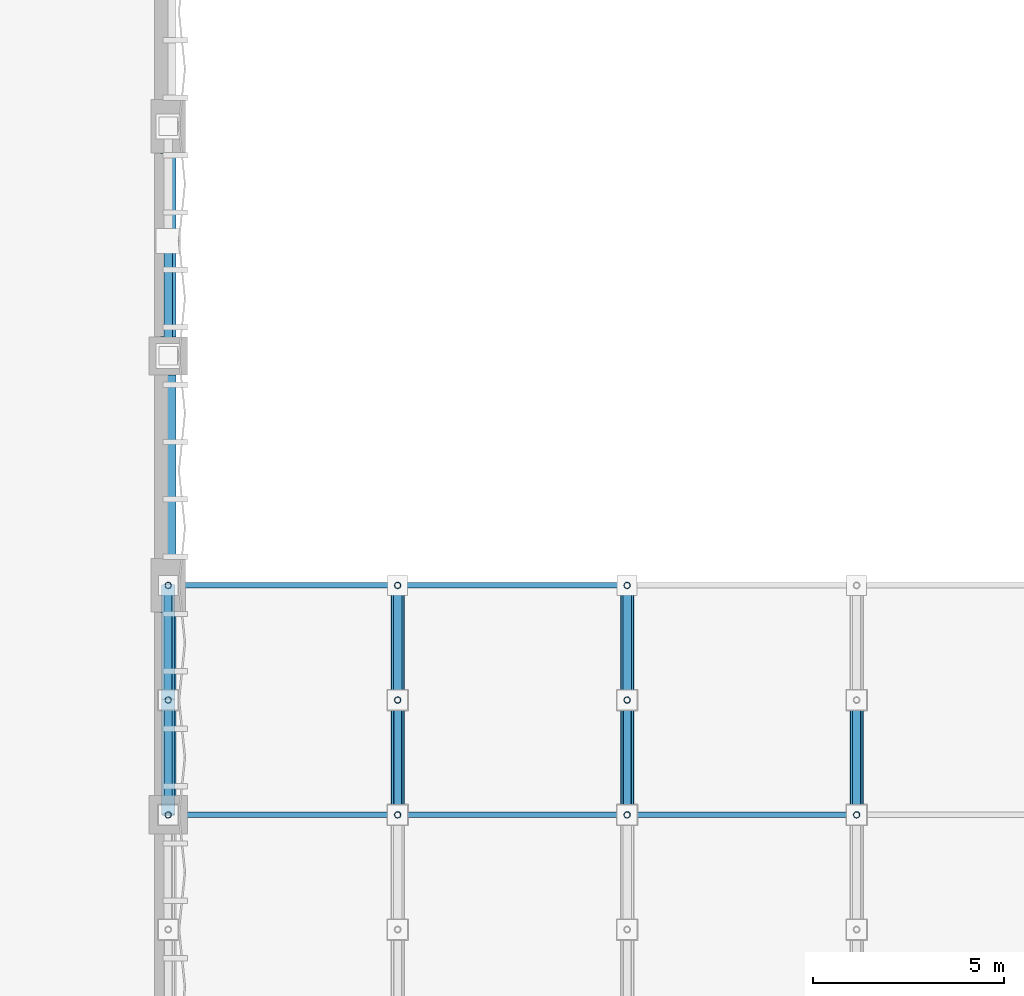
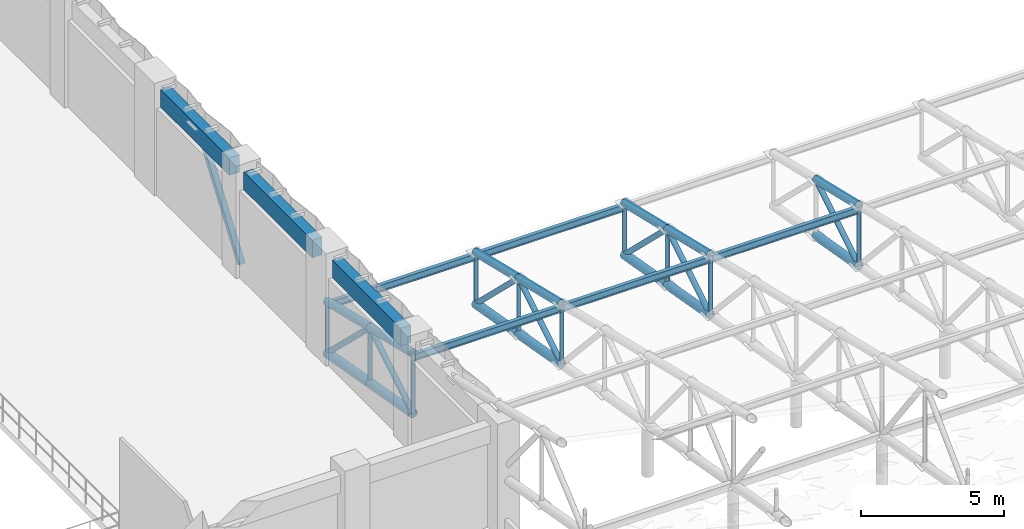
# One storey, part 29 of 123: 32 members, 8 beams.
"""IFC4 building model written with IfcOpenShell, lengths in metres."""

from ifc_helpers import new_model, si_unit, direction, frame, origin, origin_2d, place, context, subcontext, project, spatial, rectangle, hollow_rectangle, hollow_circle, i_section, extrude, material, material_profile, profile_set, type_object, element, save


model = new_model("IFC4")

# Units and contexts
model_context = context("Model", 3, precision=1e-05, world=origin(), true_north=direction((0.0, 1.0)))
body_context = subcontext(model_context, "Body", "Model", "MODEL_VIEW")
ifc_project = project(units=[si_unit("LENGTHUNIT", "METRE"), si_unit("AREAUNIT", "SQUARE_METRE"), si_unit("VOLUMEUNIT", "CUBIC_METRE"), si_unit("PLANEANGLEUNIT", "RADIAN"), si_unit("MASSUNIT", "GRAM", prefix="KILO"), si_unit("THERMODYNAMICTEMPERATUREUNIT", "KELVIN"), si_unit("POWERUNIT", "WATT")], contexts=[model_context])

# Site, building, storey
site_placement = place(None, origin())
site = spatial("IfcSite", under=ifc_project, at=site_placement, CompositionType="ELEMENT")
building_placement = place(site_placement, origin())
building = spatial("IfcBuilding", under=site, at=building_placement, Name="Phaisarnlok Congress Hotel", CompositionType="ELEMENT")
storey_placement = place(building_placement, frame((0.0, 0.0, 15.0)))
storey = spatial("IfcBuildingStorey", under=building, at=storey_placement, Name="L03", CompositionType="ELEMENT", Elevation=15.0)

# Beams
ifc_material_1 = material(Name="Steel S355", Category="steel")
ifc_material_profile_1 = material_profile(ifc_material_1, i_section(OverallWidth=0.14990234375, OverallDepth=0.300048828125, WebThickness=0.007080078125, FlangeThickness=0.0107421875, FilletRadius=0.014892578125, at=origin_2d()), Name="IPE 300")
ifc_profile_set_1 = profile_set([ifc_material_profile_1], Name="Steel S355")
beam_type_1 = type_object("IfcBeamType", Name="JS-STL-IPE300", PredefinedType="JOIST", material=ifc_profile_set_1)
for number, where, z_axis, x_axis, name in (
    (1, (66.0, 54.0, 2.0380859375), (1.0, 0.0, 0.0), (0.0, 1.0, 0.0), "South wing roof purlin"),
    (2, (66.0, 48.0, 3.47021484375), (1.0, 0.0, 0.0), (0.0, 1.0, 0.0), "South wing roof purlin"),
    (3, (72.0, 54.0, 2.0380859375), (1.0, 0.0, 0.0), (0.0, 1.0, 0.0), "South wing roof purlin"),
    (4, (72.0, 48.0, 3.47021484375), (1.0, 0.0, 0.0), (0.0, 1.0, 0.0), "South wing roof purlin"),
    (5, (78.0, 48.0, 3.47021484375), (1.0, 0.0, 0.0), (0.0, 1.0, 0.0), "South wing roof purlin"),
):
    element("IfcBeam", number, at=place(storey_placement, frame(where, z_axis=z_axis, x_axis=x_axis)), inside=storey, type_object=beam_type_1, Name=name, PredefinedType="JOIST", context=body_context, shape_type="SweptSolid", body=[
        extrude(i_section(OverallWidth=0.14990234375, OverallDepth=0.300048828125, WebThickness=0.007080078125, FlangeThickness=0.0107421875, FilletRadius=0.014892578125, at=origin_2d()), origin(), (0.0, 0.0, 1.0), 6.0),
    ])

# Members
ifc_material_profile_2 = material_profile(ifc_material_1, hollow_circle(Radius=0.084228515625, WallThickness=0.010009765625, at=origin_2d()), Name="CHS 168.3x10")
ifc_profile_set_2 = profile_set([ifc_material_profile_2], Name="Steel S355")
member_type_1 = type_object("IfcMemberType", Name="MEM-BRC-CHS168", PredefinedType="BRACE", material=ifc_profile_set_2)
member_1_placement = place(storey_placement, frame((66.0, 54.0, 0.0), z_axis=(0.0, 0.0, 1.0), x_axis=(1.0, 0.0, 0.0)))
element("IfcMember", 6, at=member_1_placement, inside=storey, type_object=member_type_1, Name="South wing roof truss vertical web", PredefinedType="BRACE", context=body_context, shape_type="SweptSolid", body=[
    extrude(hollow_circle(Radius=0.084228515625, WallThickness=0.010009765625, at=origin_2d()), origin(), (0.0, 0.0, 1.0), 2.199951171875),
])
member_2_placement = place(storey_placement, frame((66.0, 51.0, 0.533447265625), z_axis=(0.0, 0.0, 1.0), x_axis=(1.0, 0.0, 0.0)))
element("IfcMember", 7, at=member_2_placement, inside=storey, type_object=member_type_1, Name="South wing roof truss vertical web", PredefinedType="BRACE", context=body_context, shape_type="SweptSolid", body=[
    extrude(hollow_circle(Radius=0.084228515625, WallThickness=0.010009765625, at=origin_2d()), origin(), (0.0, 0.0, 1.0), 2.382568359375),
])
member_3_placement = place(storey_placement, frame((66.0, 48.0, 1.066650390625), z_axis=(0.0, 0.0, 1.0), x_axis=(1.0, 0.0, 0.0)))
element("IfcMember", 8, at=member_3_placement, inside=storey, type_object=member_type_1, Name="South wing roof truss vertical web", PredefinedType="BRACE", context=body_context, shape_type="SweptSolid", body=[
    extrude(hollow_circle(Radius=0.084228515625, WallThickness=0.010009765625, at=origin_2d()), origin(), (0.0, 0.0, 1.0), 2.5654296875),
])
member_4_placement = place(storey_placement, frame((72.0, 54.0, 0.0), z_axis=(0.0, 0.0, 1.0), x_axis=(1.0, 0.0, 0.0)))
element("IfcMember", 9, at=member_4_placement, inside=storey, type_object=member_type_1, Name="South wing roof truss vertical web", PredefinedType="BRACE", context=body_context, shape_type="SweptSolid", body=[
    extrude(hollow_circle(Radius=0.084228515625, WallThickness=0.010009765625, at=origin_2d()), origin(), (0.0, 0.0, 1.0), 2.199951171875),
])
member_5_placement = place(storey_placement, frame((72.0, 51.0, 0.533447265625), z_axis=(0.0, 0.0, 1.0), x_axis=(1.0, 0.0, 0.0)))
element("IfcMember", 10, at=member_5_placement, inside=storey, type_object=member_type_1, Name="South wing roof truss vertical web", PredefinedType="BRACE", context=body_context, shape_type="SweptSolid", body=[
    extrude(hollow_circle(Radius=0.084228515625, WallThickness=0.010009765625, at=origin_2d()), origin(), (0.0, 0.0, 1.0), 2.382568359375),
])
member_6_placement = place(storey_placement, frame((72.0, 48.0, 1.066650390625), z_axis=(0.0, 0.0, 1.0), x_axis=(1.0, 0.0, 0.0)))
element("IfcMember", 11, at=member_6_placement, inside=storey, type_object=member_type_1, Name="South wing roof truss vertical web", PredefinedType="BRACE", context=body_context, shape_type="SweptSolid", body=[
    extrude(hollow_circle(Radius=0.084228515625, WallThickness=0.010009765625, at=origin_2d()), origin(), (0.0, 0.0, 1.0), 2.5654296875),
])
member_7_placement = place(storey_placement, frame((78.0, 54.0, 0.0), z_axis=(0.0, 0.0, 1.0), x_axis=(1.0, 0.0, 0.0)))
element("IfcMember", 12, at=member_7_placement, inside=storey, type_object=member_type_1, Name="South wing roof truss vertical web", PredefinedType="BRACE", context=body_context, shape_type="SweptSolid", body=[
    extrude(hollow_circle(Radius=0.084228515625, WallThickness=0.010009765625, at=origin_2d()), origin(), (0.0, 0.0, 1.0), 2.199951171875),
])
member_8_placement = place(storey_placement, frame((78.0, 51.0, 0.533447265625), z_axis=(0.0, 0.0, 1.0), x_axis=(1.0, 0.0, 0.0)))
element("IfcMember", 13, at=member_8_placement, inside=storey, type_object=member_type_1, Name="South wing roof truss vertical web", PredefinedType="BRACE", context=body_context, shape_type="SweptSolid", body=[
    extrude(hollow_circle(Radius=0.084228515625, WallThickness=0.010009765625, at=origin_2d()), origin(), (0.0, 0.0, 1.0), 2.382568359375),
])
for number, where, z_axis, x_axis, name in (
    (14, (78.0, 48.0, 1.066650390625), (0.0, 0.0, 1.0), (1.0, 0.0, 0.0), "South wing roof truss vertical web"),
    (15, (84.0, 48.0, 1.066650390625), (0.0, 0.0, 1.0), (1.0, 0.0, 0.0), "South wing roof truss vertical web"),
):
    element("IfcMember", number, at=place(storey_placement, frame(where, z_axis=z_axis, x_axis=x_axis)), inside=storey, type_object=member_type_1, Name=name, PredefinedType="BRACE", context=body_context, shape_type="SweptSolid", body=[
        extrude(hollow_circle(Radius=0.084228515625, WallThickness=0.010009765625, at=origin_2d()), origin(), (0.0, 0.0, 1.0), 2.5654296875),
    ])
ifc_material_profile_3 = material_profile(ifc_material_1, hollow_circle(Radius=0.109619140625, WallThickness=0.012451171875, at=origin_2d()), Name="CHS 219.1x12.5")
ifc_profile_set_3 = profile_set([ifc_material_profile_3], Name="Steel S355")
member_type_2 = type_object("IfcMemberType", Name="MEM-BRC-CHS219", PredefinedType="BRACE", material=ifc_profile_set_3)
member_9_placement = place(storey_placement, frame((66.0, 54.0, 0.0), z_axis=(0.0, -0.717072690854, 0.696998390264), x_axis=(1.0, 0.0, 0.0)))
element("IfcMember", 16, at=member_9_placement, inside=storey, type_object=member_type_2, Name="South wing roof truss diagonal brace", PredefinedType="BRACE", context=body_context, shape_type="SweptSolid", body=[
    extrude(hollow_circle(Radius=0.109619140625, WallThickness=0.012451171875, at=origin_2d()), origin(), (0.0, 0.0, 1.0), 4.18359375),
])
member_10_placement = place(storey_placement, frame((66.0, 48.0, 1.066650390625), z_axis=(0.0, 0.851251329707, 0.524758204959), x_axis=(-1.0, 0.0, 0.0)))
element("IfcMember", 17, at=member_10_placement, inside=storey, type_object=member_type_2, Name="South wing roof truss diagonal brace", PredefinedType="BRACE", context=body_context, shape_type="SweptSolid", body=[
    extrude(hollow_circle(Radius=0.109619140625, WallThickness=0.012451171875, at=origin_2d()), origin(), (0.0, 0.0, 1.0), 3.524169921875),
])
member_11_placement = place(storey_placement, frame((72.0, 54.0, 0.0), z_axis=(0.0, -0.717072690854, 0.696998390264), x_axis=(1.0, 0.0, 0.0)))
element("IfcMember", 18, at=member_11_placement, inside=storey, type_object=member_type_2, Name="South wing roof truss diagonal brace", PredefinedType="BRACE", context=body_context, shape_type="SweptSolid", body=[
    extrude(hollow_circle(Radius=0.109619140625, WallThickness=0.012451171875, at=origin_2d()), origin(), (0.0, 0.0, 1.0), 4.18359375),
])
member_12_placement = place(storey_placement, frame((72.0, 48.0, 1.066650390625), z_axis=(0.0, 0.851251329707, 0.524758204959), x_axis=(-1.0, 0.0, 0.0)))
element("IfcMember", 19, at=member_12_placement, inside=storey, type_object=member_type_2, Name="South wing roof truss diagonal brace", PredefinedType="BRACE", context=body_context, shape_type="SweptSolid", body=[
    extrude(hollow_circle(Radius=0.109619140625, WallThickness=0.012451171875, at=origin_2d()), origin(), (0.0, 0.0, 1.0), 3.524169921875),
])
member_13_placement = place(storey_placement, frame((78.0, 54.0, 0.0), z_axis=(0.0, -0.717072690854, 0.696998390264), x_axis=(1.0, 0.0, 0.0)))
element("IfcMember", 20, at=member_13_placement, inside=storey, type_object=member_type_2, Name="South wing roof truss diagonal brace", PredefinedType="BRACE", context=body_context, shape_type="SweptSolid", body=[
    extrude(hollow_circle(Radius=0.109619140625, WallThickness=0.012451171875, at=origin_2d()), origin(), (0.0, 0.0, 1.0), 4.18359375),
])
for number, where, z_axis, x_axis, name in (
    (21, (78.0, 48.0, 1.066650390625), (0.0, 0.851251329707, 0.524758204959), (-1.0, 0.0, 0.0), "South wing roof truss diagonal brace"),
    (22, (84.0, 48.0, 1.066650390625), (0.0, 0.851251329707, 0.524758204959), (-1.0, 0.0, 0.0), "South wing roof truss diagonal brace"),
):
    element("IfcMember", number, at=place(storey_placement, frame(where, z_axis=z_axis, x_axis=x_axis)), inside=storey, type_object=member_type_2, Name=name, PredefinedType="BRACE", context=body_context, shape_type="SweptSolid", body=[
        extrude(hollow_circle(Radius=0.109619140625, WallThickness=0.012451171875, at=origin_2d()), origin(), (0.0, 0.0, 1.0), 3.524169921875),
    ])
ifc_material_profile_4 = material_profile(ifc_material_1, hollow_rectangle(XDim=0.219970703125, YDim=0.219970703125, WallThickness=0.012451171875, at=origin_2d()), Name="SHS 220x220x12.5")
ifc_profile_set_4 = profile_set([ifc_material_profile_4], Name="Steel S355")
member_type_3 = type_object("IfcMemberType", Name="MEM-BRC-SHS220", PredefinedType="BRACE", material=ifc_profile_set_4)
member_14_placement = place(storey_placement, frame((66.0, 60.0, 0.14990234375), z_axis=(0.0, 0.583059052244, 0.812429776409), x_axis=(-1.0, 0.0, 0.0)))
element("IfcMember", 23, at=member_14_placement, inside=storey, type_object=member_type_3, Name="Lateral braced frame diagonal", PredefinedType="BRACE", context=body_context, shape_type="SweptSolid", body=[
    extrude(hollow_rectangle(XDim=0.219970703125, YDim=0.219970703125, WallThickness=0.012451171875, at=origin_2d()), origin(), (0.0, 0.0, 1.0), 5.145263671875),
])
ifc_material_profile_5 = material_profile(ifc_material_1, hollow_circle(Radius=0.161865234375, WallThickness=0.01611328125, at=origin_2d()), Name="CHS 323.9x16")
ifc_profile_set_5 = profile_set([ifc_material_profile_5], Name="Steel S355")
member_type_4 = type_object("IfcMemberType", Name="MEM-CHD-CHS324", PredefinedType="CHORD", material=ifc_profile_set_5)
for number, where, z_axis, x_axis, name in (
    (24, (66.0, 54.0, 2.199951171875), (0.0, -0.972676115692, 0.232166263617), (1.0, 0.0, 0.0), "South wing roof truss top chord"),
    (25, (66.0, 51.0, 2.916015625), (0.0, -0.972676115692, 0.232166263617), (1.0, 0.0, 0.0), "South wing roof truss top chord"),
    (26, (72.0, 54.0, 2.199951171875), (0.0, -0.972676115692, 0.232166263617), (1.0, 0.0, 0.0), "South wing roof truss top chord"),
    (27, (72.0, 51.0, 2.916015625), (0.0, -0.972676115692, 0.232166263617), (1.0, 0.0, 0.0), "South wing roof truss top chord"),
    (28, (78.0, 54.0, 2.199951171875), (0.0, -0.972676115692, 0.232166263617), (1.0, 0.0, 0.0), "South wing roof truss top chord"),
    (29, (78.0, 51.0, 2.916015625), (0.0, -0.972676115692, 0.232166263617), (1.0, 0.0, 0.0), "South wing roof truss top chord"),
    (30, (84.0, 51.0, 2.916015625), (0.0, -0.972676115692, 0.232166263617), (1.0, 0.0, 0.0), "South wing roof truss top chord"),
):
    element("IfcMember", number, at=place(storey_placement, frame(where, z_axis=z_axis, x_axis=x_axis)), inside=storey, type_object=member_type_4, Name=name, PredefinedType="CHORD", context=body_context, shape_type="SweptSolid", body=[
        extrude(hollow_circle(Radius=0.161865234375, WallThickness=0.01611328125, at=origin_2d()), origin(), (0.0, 0.0, 1.0), 3.084228515625),
    ])
ifc_material_profile_6 = material_profile(ifc_material_1, hollow_circle(Radius=0.177734375, WallThickness=0.02001953125, at=origin_2d()), Name="CHS 355.6x20")
ifc_profile_set_6 = profile_set([ifc_material_profile_6], Name="Steel S355")
member_type_5 = type_object("IfcMemberType", Name="MEM-CHD-CHS356", PredefinedType="CHORD", material=ifc_profile_set_6)
for number, where, z_axis, x_axis, name in (
    (31, (66.0, 54.0, 0.0), (0.0, -0.984556063496, 0.175069579976), (1.0, 0.0, 0.0), "South wing roof truss bottom chord"),
    (32, (66.0, 51.0, 0.533447265625), (0.0, -0.984569871158, 0.174991910694), (1.0, 0.0, 0.0), "South wing roof truss bottom chord"),
    (33, (72.0, 54.0, 0.0), (0.0, -0.984556063496, 0.175069579976), (1.0, 0.0, 0.0), "South wing roof truss bottom chord"),
    (34, (72.0, 51.0, 0.533447265625), (0.0, -0.984569871158, 0.174991910694), (1.0, 0.0, 0.0), "South wing roof truss bottom chord"),
    (35, (78.0, 54.0, 0.0), (0.0, -0.984556063496, 0.175069579976), (1.0, 0.0, 0.0), "South wing roof truss bottom chord"),
    (36, (78.0, 51.0, 0.533447265625), (0.0, -0.984569871158, 0.174991910694), (1.0, 0.0, 0.0), "South wing roof truss bottom chord"),
    (37, (84.0, 51.0, 0.533447265625), (0.0, -0.984569871158, 0.174991910694), (1.0, 0.0, 0.0), "South wing roof truss bottom chord"),
):
    element("IfcMember", number, at=place(storey_placement, frame(where, z_axis=z_axis, x_axis=x_axis)), inside=storey, type_object=member_type_5, Name=name, PredefinedType="CHORD", context=body_context, shape_type="SweptSolid", body=[
        extrude(hollow_circle(Radius=0.177734375, WallThickness=0.02001953125, at=origin_2d()), origin(), (0.0, 0.0, 1.0), 3.047119140625),
    ])

# Beams
ifc_material_2 = material(Name="Concrete C40/50", Category="concrete")
ifc_material_profile_7 = material_profile(ifc_material_2, rectangle(XDim=0.39990234375, YDim=0.75, at=origin_2d()), Name="RC 400x750")
ifc_profile_set_7 = profile_set([ifc_material_profile_7], Name="Concrete C40/50")
beam_type_2 = type_object("IfcBeamType", Name="SP-RC-400x750", PredefinedType="SPANDREL", material=ifc_profile_set_7)
for number, where, z_axis, x_axis, name in (
    (38, (66.0, 48.4951171875, 4.074951171875), (0.0, 1.0, 0.0), (-1.0, 0.0, 0.0), "Beam SP-02"),
    (39, (66.0, 54.695068359375, 4.074951171875), (0.0, 1.0, 0.0), (-1.0, 0.0, 0.0), "Beam SP-02"),
    (40, (66.0, 60.4951171875, 4.074951171875), (0.0, 1.0, 0.0), (-1.0, 0.0, 0.0), "Beam SP-02"),
):
    element("IfcBeam", number, at=place(storey_placement, frame(where, z_axis=z_axis, x_axis=x_axis)), inside=storey, type_object=beam_type_2, Name=name, PredefinedType="SPANDREL", context=body_context, shape_type="SweptSolid", body=[
        extrude(rectangle(XDim=0.39990234375, YDim=0.75, at=origin_2d()), origin(), (0.0, 0.0, 1.0), 4.809814453125),
    ])

save(model, "model.ifc")
